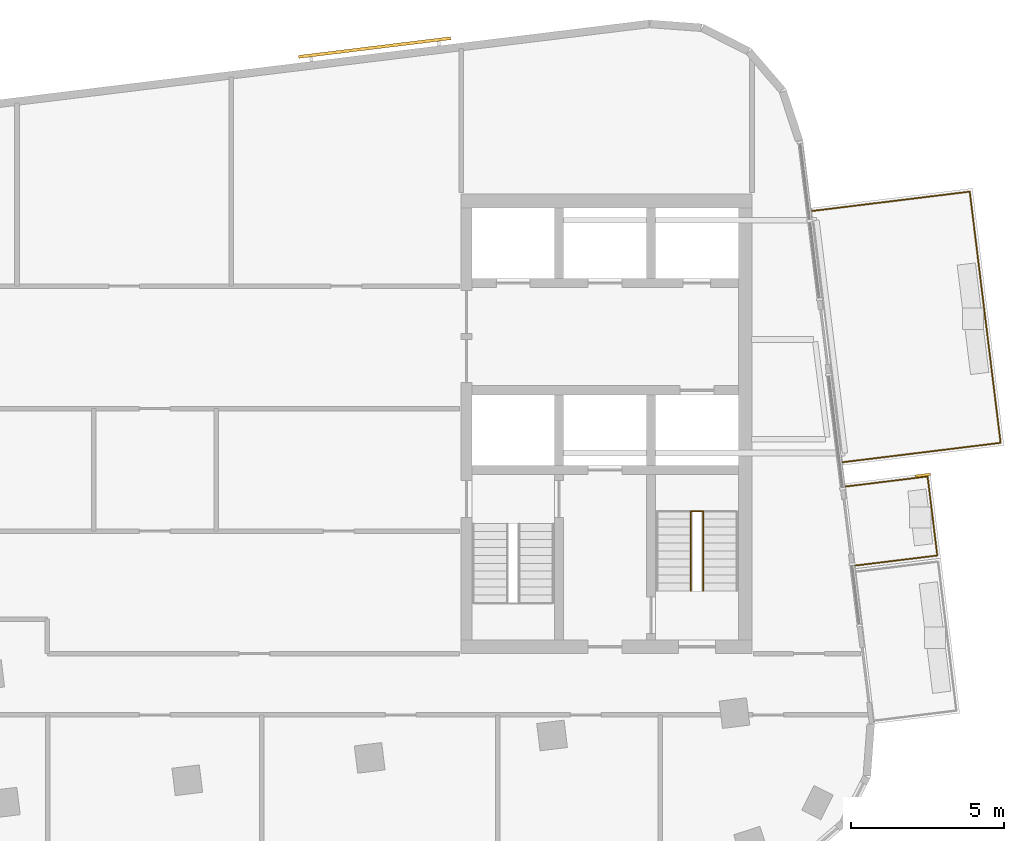
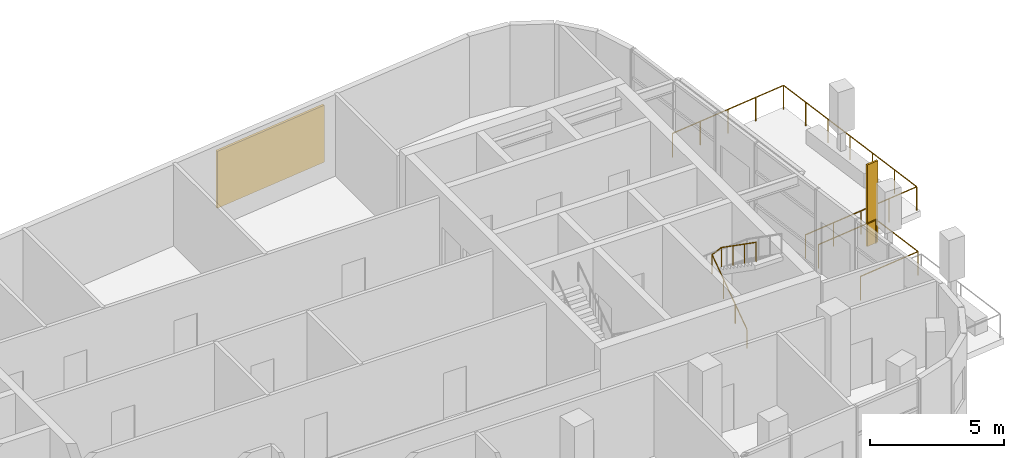
# One storey, part 12 of 13: 3 railings, 2 shading devices.
"""IFC4 building model written with IfcOpenShell, lengths in metres."""

from ifc_helpers import new_model, si_unit, direction, frame, origin, origin_2d, place, context, subcontext, project, spatial, rectangle, circle, extrude, material, layer, layer_set, type_object, element, save


model = new_model("IFC4")

# Units and contexts
model_context = context("Model", 3, precision=1e-05, world=origin(), true_north=direction((0.0, 1.0)))
body_context = subcontext(model_context, "Body", "Model", "MODEL_VIEW")
ifc_project = project(units=[si_unit("LENGTHUNIT", "METRE"), si_unit("AREAUNIT", "SQUARE_METRE"), si_unit("VOLUMEUNIT", "CUBIC_METRE"), si_unit("PLANEANGLEUNIT", "RADIAN"), si_unit("MASSUNIT", "GRAM", prefix="KILO")], contexts=[model_context])

# Site, building, storey
site_placement = place(None, origin())
site = spatial("IfcSite", under=ifc_project, at=site_placement, CompositionType="ELEMENT")
building_placement = place(site_placement, origin())
building = spatial("IfcBuilding", under=site, at=building_placement, Name="Torana Hotel and Residences", CompositionType="ELEMENT")
storey_placement = place(building_placement, frame((0.0, 0.0, 314.60009765625)))
storey = spatial("IfcBuildingStorey", under=building, at=storey_placement, Name="L83", CompositionType="ELEMENT", Elevation=314.60009765625)

# Shading device
ifc_material_1 = material(Name="Black powder coated aluminium", Category="aluminium")
ifc_layer_1 = layer(ifc_material_1, 0.080078125)
ifc_layer_set_1 = layer_set([ifc_layer_1], Name="FN1 VERTICAL FIN 500x80")
shading_device_type_1 = type_object("IfcShadingDeviceType", Name="FN1 VERTICAL FIN 500x80", PredefinedType="USERDEFINED", material=ifc_layer_set_1)
shading_device_1_placement = place(storey_placement, frame((25.075439453125, -9.17431640625, 0.0), z_axis=(0.0, 0.0, 1.0), x_axis=(0.121867611085, -0.992546364342, 0.0)))
element("IfcShadingDevice", 1, at=shading_device_1_placement, inside=storey, type_object=shading_device_type_1, Name="Fin 11", ObjectType="FIN", PredefinedType="USERDEFINED", context=body_context, shape_type="SweptSolid", body=[
    extrude(rectangle(XDim=0.080078125, YDim=0.5, at=origin_2d()), origin(), (0.0, 0.0, 1.0), 3.719970703125),
])

# Railings
ifc_material_2 = material(Name="Laminated glass balustrade with black handrail", Category="glass")
railing_type_1 = type_object("IfcRailingType", Name="GR1 BALCONY GUARD 1100 GLASS", PredefinedType="GUARDRAIL", material=ifc_material_2)
railing_1_placement = place(storey_placement, frame((22.5517578125, -9.544921875, 0.0)))
element("IfcRailing", 2, at=railing_1_placement, inside=storey, type_object=railing_type_1, Name="Balcony guard 11", PredefinedType="GUARDRAIL", context=body_context, shape_type="SweptSolid", body=[
    extrude(circle(Radius=0.02392578125, at=origin_2d()), frame((0.0, 0.0, 1.076171875), z_axis=(0.992544031017, 0.121886613265, 0.0), x_axis=(-0.121886613265, 0.992544031017, 0.0)), (0.0, 0.0, 1.0), 2.699951171875),
    extrude(circle(Radius=0.02392578125, at=origin_2d()), frame((2.679931640625, 0.3291015625, 1.076171875), z_axis=(0.121803653798, -0.992554215104, 0.0), x_axis=(0.992554215104, 0.121803653798, 0.0)), (0.0, 0.0, 1.0), 2.599609375),
    extrude(circle(Radius=0.02392578125, at=origin_2d()), frame((2.99658203125, -2.251220703125, 1.076171875), z_axis=(-0.992554965996, -0.121797534772, 0.0), x_axis=(0.121797534772, -0.992554965996, 0.0)), (0.0, 0.0, 1.0), 2.699951171875),
    extrude(circle(Radius=0.02099609375, at=origin_2d()), origin(), (0.0, 0.0, 1.0), 1.052001953125),
    extrude(circle(Radius=0.02099609375, at=origin_2d()), frame((2.679931640625, 0.3291015625, 0.0)), (0.0, 0.0, 1.0), 1.052001953125),
    extrude(circle(Radius=0.02099609375, at=origin_2d()), frame((2.99658203125, -2.251220703125, 0.0)), (0.0, 0.0, 1.0), 1.052001953125),
    extrude(circle(Radius=0.02099609375, at=origin_2d()), frame((0.316650390625, -2.580078125, 0.0)), (0.0, 0.0, 1.0), 1.052001953125),
])
railing_2_placement = place(storey_placement, frame((21.447265625, -0.54931640625, 0.0)))
element("IfcRailing", 3, at=railing_2_placement, inside=storey, type_object=railing_type_1, Name="Balcony guard 12", PredefinedType="GUARDRAIL", context=body_context, shape_type="SweptSolid", body=[
    extrude(circle(Radius=0.02392578125, at=origin_2d()), frame((0.0, 0.0, 1.076171875), z_axis=(0.992544252483, 0.121884809813, 0.0), x_axis=(-0.121884809813, 0.992544252483, 0.0)), (0.0, 0.0, 1.0), 5.199951171875),
    extrude(circle(Radius=0.02392578125, at=origin_2d()), frame((5.1611328125, 0.6337890625, 1.076171875), z_axis=(0.121878024543, -0.992545085693, 0.0), x_axis=(0.992545085693, 0.121878024543, 0.0)), (0.0, 0.0, 1.0), 8.262939453125),
    extrude(circle(Radius=0.02392578125, at=origin_2d()), frame((6.168212890625, -7.567626953125, 1.076171875), z_axis=(-0.992544949934, -0.121879130128, 0.0), x_axis=(0.121879130128, -0.992544949934, 0.0)), (0.0, 0.0, 1.0), 5.2001953125),
    extrude(circle(Radius=0.02099609375, at=origin_2d()), origin(), (0.0, 0.0, 1.0), 1.052001953125),
    extrude(circle(Radius=0.02099609375, at=origin_2d()), frame((1.290283203125, 0.158447265625, 0.0)), (0.0, 0.0, 1.0), 1.052001953125),
    extrude(circle(Radius=0.02099609375, at=origin_2d()), frame((2.58056640625, 0.31689453125, 0.0)), (0.0, 0.0, 1.0), 1.052001953125),
    extrude(circle(Radius=0.02099609375, at=origin_2d()), frame((3.870849609375, 0.475341796875, 0.0)), (0.0, 0.0, 1.0), 1.052001953125),
    extrude(circle(Radius=0.02099609375, at=origin_2d()), frame((5.1611328125, 0.6337890625, 0.0)), (0.0, 0.0, 1.0), 1.052001953125),
    extrude(circle(Radius=0.02099609375, at=origin_2d()), frame((5.3291015625, -0.733154296875, 0.0)), (0.0, 0.0, 1.0), 1.052001953125),
    extrude(circle(Radius=0.02099609375, at=origin_2d()), frame((5.496826171875, -2.10009765625, 0.0)), (0.0, 0.0, 1.0), 1.052001953125),
    extrude(circle(Radius=0.02099609375, at=origin_2d()), frame((5.66455078125, -3.466796875, 0.0)), (0.0, 0.0, 1.0), 1.052001953125),
    extrude(circle(Radius=0.02099609375, at=origin_2d()), frame((5.83251953125, -4.833740234375, 0.0)), (0.0, 0.0, 1.0), 1.052001953125),
    extrude(circle(Radius=0.02099609375, at=origin_2d()), frame((6.00048828125, -6.20068359375, 0.0)), (0.0, 0.0, 1.0), 1.052001953125),
    extrude(circle(Radius=0.02099609375, at=origin_2d()), frame((6.168212890625, -7.567626953125, 0.0)), (0.0, 0.0, 1.0), 1.052001953125),
    extrude(circle(Radius=0.02099609375, at=origin_2d()), frame((4.8779296875, -7.72607421875, 0.0)), (0.0, 0.0, 1.0), 1.052001953125),
    extrude(circle(Radius=0.02099609375, at=origin_2d()), frame((3.58740234375, -7.884521484375, 0.0)), (0.0, 0.0, 1.0), 1.052001953125),
    extrude(circle(Radius=0.02099609375, at=origin_2d()), frame((2.297119140625, -8.04296875, 0.0)), (0.0, 0.0, 1.0), 1.052001953125),
    extrude(circle(Radius=0.02099609375, at=origin_2d()), frame((1.0068359375, -8.201416015625, 0.0)), (0.0, 0.0, 1.0), 1.052001953125),
])

# Shading device
ifc_material_3 = material(Name="Concrete C40/50 precast", Category="concrete")
ifc_layer_2 = layer(ifc_material_3, 0.10009765625)
ifc_layer_set_2 = layer_set([ifc_layer_2], Name="SC1 PERFORATED BLOCK SCREEN PANEL 100")
shading_device_type_2 = type_object("IfcShadingDeviceType", Name="SC1 PERFORATED BLOCK SCREEN PANEL 100", PredefinedType="USERDEFINED", material=ifc_layer_set_2)
shading_device_2_placement = place(storey_placement, frame((7.177978515625, 4.788818359375, 0.499755859375), z_axis=(0.0, 0.0, 1.0), x_axis=(-0.99254657704, -0.121865878765, 0.0)))
element("IfcShadingDevice", 4, at=shading_device_2_placement, inside=storey, type_object=shading_device_type_2, Name="Perforated block screen L83", ObjectType="SCREEN", PredefinedType="USERDEFINED", context=body_context, shape_type="SweptSolid", body=[
    extrude(rectangle(XDim=5.0, YDim=0.10009765625, at=origin_2d()), origin(), (0.0, 0.0, 1.0), 2.60009765625),
])

# Railing
ifc_material_4 = material(Name="Stainless steel 316", Category="steel")
railing_type_2 = type_object("IfcRailingType", Name="STAIR HANDRAIL HR1 900", PredefinedType="HANDRAIL", material=ifc_material_4)
railing_3_placement = place(storey_placement, frame((17.5, -12.949951171875, 0.181640625)))
element("IfcRailing", 5, at=railing_3_placement, inside=storey, type_object=railing_type_2, Name="Handrail ST4 L83 I1", PredefinedType="HANDRAIL", context=body_context, shape_type="SweptSolid", body=[
    extrude(circle(Radius=0.02392578125, at=origin_2d()), frame((0.0, 0.0, 0.8759765625), z_axis=(0.0, 0.819459612548, 0.573136932506), x_axis=(-1.0, 0.0, 0.0)), (0.0, 0.0, 1.0), 3.172607421875),
    extrude(circle(Radius=0.02392578125, at=origin_2d()), frame((0.0, 2.599853515625, 2.6943359375), z_axis=(0.910480658332, 0.0, 0.413551654334), x_axis=(0.0, 1.0, 0.0)), (0.0, 0.0, 1.0), 0.439208984375),
    extrude(circle(Radius=0.02392578125, at=origin_2d()), frame((0.39990234375, 2.599853515625, 2.8759765625), z_axis=(0.0, -0.819459612548, 0.573136932506), x_axis=(1.0, 0.0, 0.0)), (0.0, 0.0, 1.0), 3.172607421875),
    extrude(circle(Radius=0.02099609375, at=origin_2d()), origin(), (0.0, 0.0, 1.0), 0.851806640625),
    extrude(circle(Radius=0.02099609375, at=origin_2d()), frame((0.0, 0.86669921875, 0.606201171875)), (0.0, 0.0, 1.0), 0.851806640625),
    extrude(circle(Radius=0.02099609375, at=origin_2d()), frame((0.0, 1.733154296875, 1.212158203125)), (0.0, 0.0, 1.0), 0.851806640625),
    extrude(circle(Radius=0.02099609375, at=origin_2d()), frame((0.0, 2.599853515625, 1.818359375)), (0.0, 0.0, 1.0), 0.851806640625),
    extrude(circle(Radius=0.02099609375, at=origin_2d()), frame((0.39990234375, 2.599853515625, 2.0)), (0.0, 0.0, 1.0), 0.851806640625),
    extrude(circle(Radius=0.02099609375, at=origin_2d()), frame((0.39990234375, 1.733154296875, 2.606201171875)), (0.0, 0.0, 1.0), 0.851806640625),
    extrude(circle(Radius=0.02099609375, at=origin_2d()), frame((0.39990234375, 0.86669921875, 3.212158203125)), (0.0, 0.0, 1.0), 0.851806640625),
    extrude(circle(Radius=0.02099609375, at=origin_2d()), frame((0.39990234375, 0.0, 3.818359375)), (0.0, 0.0, 1.0), 0.851806640625),
])

save(model, "model.ifc")
